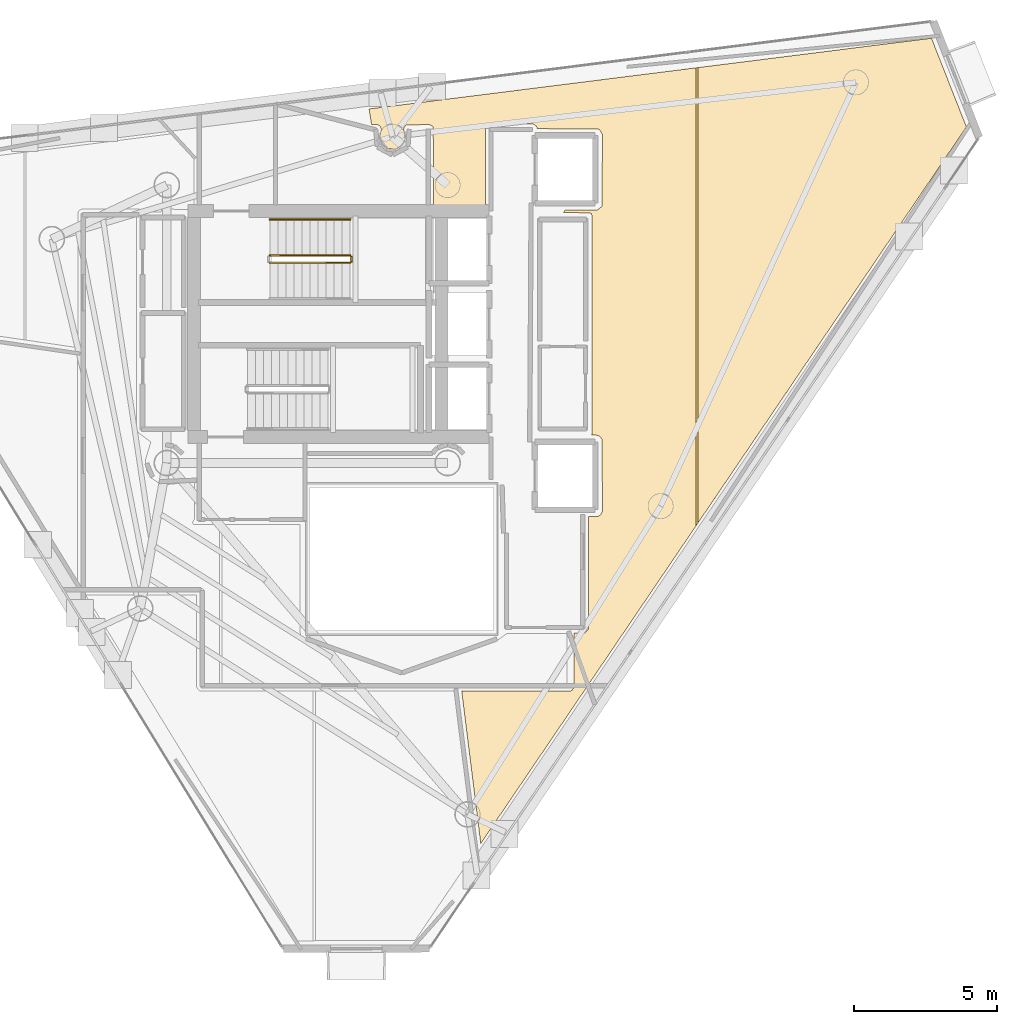
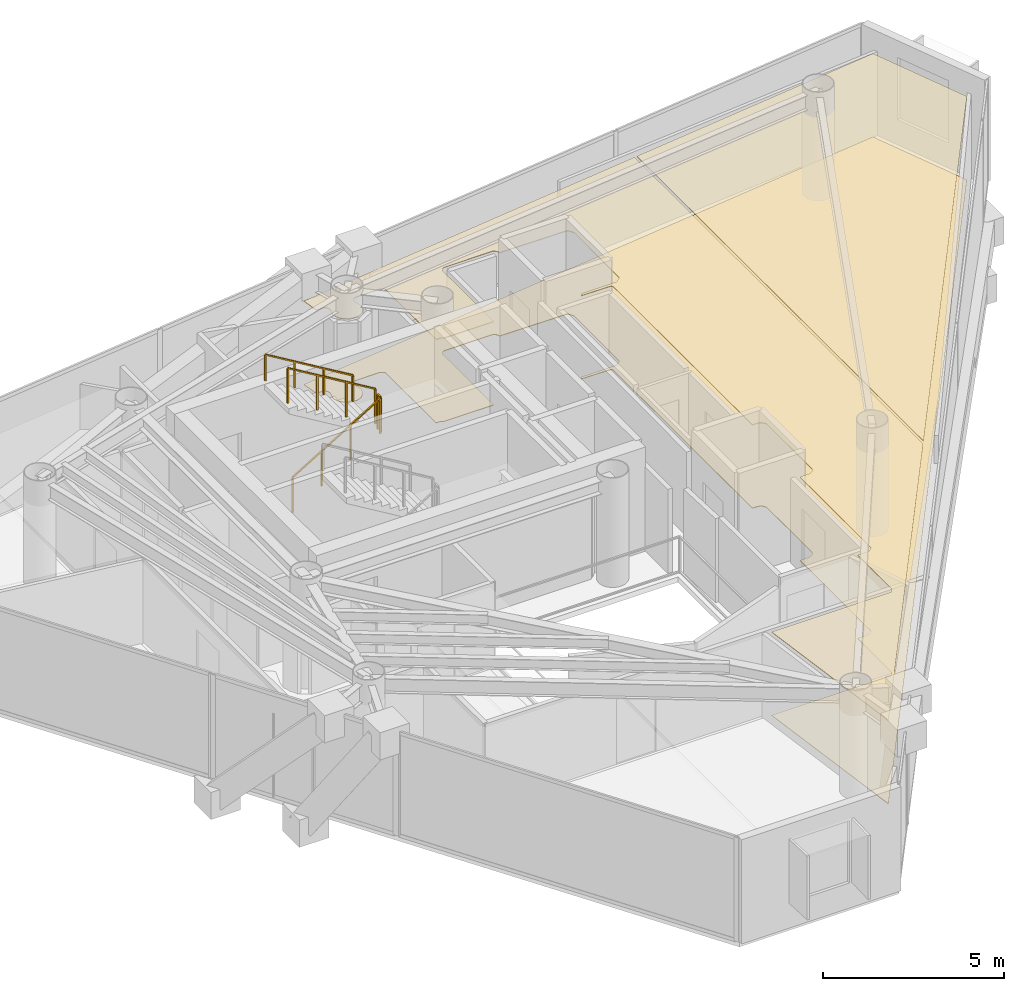
# One storey, part 23 of 23: 4 railings, 3 coverings.
"""IFC4 building model written with IfcOpenShell, lengths in metres."""

from ifc_helpers import new_model, si_unit, direction, frame, origin, origin_2d, place, context, subcontext, project, spatial, polyline, rectangle, outline, extrude, material, layer, layer_set, type_object, element, save


model = new_model("IFC4")

# Units and contexts
model_context = context("Model", 3, precision=1e-05, world=origin(), true_north=direction((0.0, 1.0)))
body_context = subcontext(model_context, "Body", "Model", "MODEL_VIEW")
ifc_project = project(units=[si_unit("LENGTHUNIT", "METRE"), si_unit("AREAUNIT", "SQUARE_METRE"), si_unit("VOLUMEUNIT", "CUBIC_METRE"), si_unit("PLANEANGLEUNIT", "RADIAN"), si_unit("MASSUNIT", "GRAM", prefix="KILO")], contexts=[model_context])

# Site, building, storey
site_placement = place(None, origin())
site = spatial("IfcSite", under=ifc_project, at=site_placement, CompositionType="ELEMENT")
building_placement = place(site_placement, origin())
building = spatial("IfcBuilding", under=site, at=building_placement, Name="Qianvela Tower", CompositionType="ELEMENT")
storey_placement = place(building_placement, frame((0.0, 0.0, 284.300048828125)))
storey = spatial("IfcBuildingStorey", under=building, at=storey_placement, Name="L73", CompositionType="ELEMENT", Elevation=284.300048828125)

# Coverings
ifc_material_1 = material(Name="Perforated Mineral Acoustic Ceiling Tile")
ifc_layer_1 = layer(ifc_material_1, 0.02490234375)
ifc_layer_set_1 = layer_set([ifc_layer_1], Name="Perforated Mineral Acoustic Ceiling Tile")
covering_type_1 = type_object("IfcCoveringType", Name="COV-CEIL-ACOUSTIC-25", PredefinedType="CEILING", material=ifc_layer_set_1)
covering_1_placement = place(storey_placement, frame((0.0, 0.0, 2.81494140625)))
element("IfcCovering", 1, at=covering_1_placement, inside=storey, type_object=covering_type_1, Name="L73 Acoustic Ceiling Bay 1 Social Sitting Lounge L73-03", PredefinedType="CEILING", context=body_context, shape_type="SweptSolid", body=[
    extrude(outline(polyline([(42.50341796875, 32.679931640625), (43.59375, 32.6806640625), (43.602294921875, 32.68115234375), (43.610595703125, 32.6826171875), (43.618896484375, 32.684814453125), (43.626708984375, 32.687744140625), (43.63427734375, 32.691650390625), (43.641357421875, 32.6962890625), (43.757080078125, 32.7822265625), (43.763427734375, 32.787353515625), (43.769287109375, 32.793212890625), (43.7744140625, 32.7998046875), (43.77880859375, 32.806640625), (43.782470703125, 32.81396484375), (43.785400390625, 32.82177734375), (43.78759765625, 32.82958984375), (43.788818359375, 32.837890625), (43.789306640625, 32.84619140625), (43.800048828125, 35.2998046875), (43.7998046875, 35.306884765625), (43.798583984375, 35.314208984375), (43.797119140625, 35.3212890625), (43.794921875, 35.328125), (43.7919921875, 35.334716796875), (43.78857421875, 35.341064453125), (43.714599609375, 35.464599609375), (43.710205078125, 35.471435546875), (43.704833984375, 35.477783203125), (43.698974609375, 35.4833984375), (43.692626953125, 35.488525390625), (43.685791015625, 35.492919921875), (43.678466796875, 35.49658203125), (43.670654296875, 35.49951171875), (43.662841796875, 35.501708984375), (43.65478515625, 35.5029296875), (43.646484375, 35.50341796875), (41.515625, 35.519287109375), (41.513916015625, 35.554931640625), (41.512939453125, 35.562744140625), (41.511474609375, 35.5703125), (41.509033203125, 35.577880859375), (41.506103515625, 35.585205078125), (41.50244140625, 35.591796875), (41.498046875, 35.598388671875), (41.4931640625, 35.6044921875), (41.487548828125, 35.60986328125), (41.481689453125, 35.614990234375), (41.41552734375, 35.663818359375), (41.409423828125, 35.66796875), (41.40283203125, 35.67138671875), (41.396240234375, 35.67431640625), (41.38916015625, 35.6767578125), (41.382080078125, 35.67822265625), (41.374755859375, 35.67919921875), (41.367431640625, 35.6796875), (39.841796875, 35.670654296875), (39.83349609375, 35.670166015625), (39.825439453125, 35.668701171875), (39.817626953125, 35.666748046875), (39.81005859375, 35.663818359375), (39.802490234375, 35.659912109375), (39.795654296875, 35.655517578125), (39.789306640625, 35.650390625), (39.783447265625, 35.644775390625), (39.7783203125, 35.638427734375), (39.773681640625, 35.631591796875), (39.7314453125, 35.56103515625), (39.727294921875, 35.553466796875), (39.72412109375, 35.54541015625), (39.721923828125, 35.537109375), (39.720458984375, 35.528564453125), (39.719970703125, 35.52001953125), (39.719970703125, 32.719970703125), (38.129150390625, 32.719970703125), (38.068115234375, 32.756103515625), (38.060791015625, 32.760009765625), (38.052978515625, 32.76318359375), (38.044921875, 32.765380859375), (38.03662109375, 32.766845703125), (38.0283203125, 32.767333984375), (37.906982421875, 32.768798828125), (37.896484375, 35.544677734375), (37.89599609375, 35.552490234375), (37.89501953125, 35.560302734375), (37.89306640625, 35.56787109375), (37.890380859375, 35.5751953125), (37.886962890625, 35.582275390625), (37.883056640625, 35.589111328125), (37.87841796875, 35.59521484375), (37.873046875, 35.60107421875), (37.8671875, 35.606201171875), (37.86083984375, 35.611083984375), (37.854248046875, 35.614990234375), (37.78759765625, 35.650634765625), (37.780517578125, 35.654052734375), (37.772705078125, 35.65673828125), (37.764892578125, 35.65869140625), (37.757080078125, 35.65966796875), (37.7490234375, 35.659912109375), (36.98779296875, 35.650146484375), (36.97998046875, 35.64990234375), (36.97265625, 35.648681640625), (36.96533203125, 35.646728515625), (36.958251953125, 35.644287109375), (36.951416015625, 35.64111328125), (36.945068359375, 35.63720703125), (36.93896484375, 35.6328125), (36.93310546875, 35.6279296875), (36.927978515625, 35.62255859375), (36.92333984375, 35.616455078125), (36.91943359375, 35.610107421875), (36.877685546875, 35.537841796875), (36.874267578125, 35.53125), (36.87158203125, 35.5244140625), (36.869384765625, 35.517333984375), (36.867919921875, 35.510009765625), (36.8671875, 35.502685546875), (36.866943359375, 35.4951171875), (36.86767578125, 35.48779296875), (36.868896484375, 35.48046875), (36.92431640625, 35.23291015625), (36.91748046875, 35.163330078125), (36.84765625, 34.99462890625), (36.724365234375, 34.871337890625), (36.5634765625, 34.804931640625), (36.30224609375, 34.83251953125), (36.10302734375, 34.998291015625), (36.03466796875, 35.163330078125), (36.02783203125, 35.232666015625), (36.08251953125, 35.47216796875), (36.083740234375, 35.47998046875), (36.08447265625, 35.48779296875), (36.084228515625, 35.495849609375), (36.083251953125, 35.50390625), (36.081298828125, 35.511474609375), (36.064697265625, 35.5712890625), (36.06201171875, 35.5791015625), (36.058837890625, 35.586181640625), (36.0546875, 35.59326171875), (36.05029296875, 35.599609375), (36.044921875, 35.605712890625), (36.0390625, 35.611083984375), (36.03271484375, 35.615966796875), (36.02587890625, 35.6201171875), (35.97119140625, 35.64990234375), (35.964111328125, 35.6533203125), (35.95654296875, 35.656005859375), (35.948974609375, 35.657958984375), (35.941162109375, 35.6591796875), (35.93310546875, 35.65966796875), (35.743896484375, 35.659912109375), (35.658203125, 36.20751953125), (47.0634765625, 37.6416015625), (47.0634765625, 21.64892578125), (39.556396484375, 10.572265625), (38.889892578125, 15.89013671875), (42.68798828125, 15.8994140625), (42.696044921875, 15.89990234375), (42.7041015625, 15.901123046875), (42.712158203125, 15.9033203125), (42.719970703125, 15.90625), (42.727294921875, 15.909912109375), (42.734130859375, 15.914306640625), (42.740478515625, 15.91943359375), (42.74658203125, 15.92529296875), (42.751708984375, 15.931396484375), (42.75634765625, 15.938232421875), (42.798583984375, 16.0087890625), (42.802001953125, 16.01513671875), (42.804931640625, 16.02197265625), (42.80712890625, 16.02880859375), (42.80859375, 16.03564453125), (42.809814453125, 16.04296875), (42.81005859375, 16.050048828125), (42.8076171875, 17.920166015625), (43.157958984375, 17.92041015625), (43.165771484375, 17.9208984375), (43.173583984375, 17.921875), (43.18115234375, 17.923828125), (43.1884765625, 17.926513671875), (43.195556640625, 17.9296875), (43.202392578125, 17.933837890625), (43.20849609375, 17.938720703125), (43.21435546875, 17.94384765625), (43.2861328125, 18.015625), (43.29150390625, 18.021484375), (43.296142578125, 18.027587890625), (43.30029296875, 18.034423828125), (43.303466796875, 18.04150390625), (43.30615234375, 18.048828125), (43.30810546875, 18.056640625), (43.30908203125, 18.064208984375), (43.3095703125, 18.072265625), (43.309326171875, 21.980712890625), (43.60791015625, 21.982666015625), (43.615478515625, 21.983154296875), (43.623291015625, 21.984375), (43.630859375, 21.986083984375), (43.637939453125, 21.98876953125), (43.64501953125, 21.9921875), (43.716796875, 22.030517578125), (43.723388671875, 22.034423828125), (43.729736328125, 22.039306640625), (43.735595703125, 22.04443359375), (43.74072265625, 22.05029296875), (43.74560546875, 22.056640625), (43.74951171875, 22.063232421875), (43.787841796875, 22.135009765625), (43.791259765625, 22.14208984375), (43.7939453125, 22.1494140625), (43.7958984375, 22.156982421875), (43.796875, 22.164794921875), (43.79736328125, 22.1728515625), (43.7939453125, 24.640625), (43.79345703125, 24.649169921875), (43.792236328125, 24.65771484375), (43.789794921875, 24.665771484375), (43.786865234375, 24.673583984375), (43.782958984375, 24.68115234375), (43.7783203125, 24.688232421875), (43.721923828125, 24.76416015625), (43.71728515625, 24.769775390625), (43.71240234375, 24.77490234375), (43.706787109375, 24.779541015625), (43.70068359375, 24.78369140625), (43.694580078125, 24.78759765625), (43.68798828125, 24.79052734375), (43.680908203125, 24.79296875), (43.603271484375, 24.816650390625), (43.595703125, 24.818603515625), (43.587890625, 24.819580078125), (43.580078125, 24.820068359375), (43.424072265625, 24.820068359375), (43.426513671875, 24.826904296875), (43.428466796875, 24.83447265625), (43.4296875, 24.84228515625), (43.429931640625, 24.85009765625), (43.429931640625, 32.5), (43.4296875, 32.5078125), (43.428466796875, 32.515380859375), (43.426513671875, 32.52294921875), (43.424072265625, 32.530517578125), (43.420654296875, 32.537353515625), (43.416748046875, 32.544189453125), (43.412109375, 32.55029296875), (43.406982421875, 32.55615234375), (43.401123046875, 32.5615234375), (43.39501953125, 32.566162109375), (43.38818359375, 32.5703125), (43.38134765625, 32.573486328125), (43.3740234375, 32.576416015625), (43.366455078125, 32.578369140625), (43.35888671875, 32.57958984375), (43.35107421875, 32.580078125), (42.4365234375, 32.59130859375), (42.50341796875, 32.679931640625)])), origin(), (0.0, 0.0, 1.0), 0.02490234375),
])
covering_2_placement = place(storey_placement, frame((0.0, 0.0, 2.81494140625)))
element("IfcCovering", 2, at=covering_2_placement, inside=storey, type_object=covering_type_1, Name="L73 Acoustic Ceiling Bay 2 Social Sitting Lounge L73-03", PredefinedType="CEILING", context=body_context, shape_type="SweptSolid", body=[
    extrude(outline(polyline([(55.2861328125, 38.67578125), (56.50537109375, 35.580322265625), (47.143310546875, 21.76708984375), (47.143310546875, 37.65185546875), (55.2861328125, 38.67578125)])), origin(), (0.0, 0.0, 1.0), 0.02490234375),
])
ifc_material_2 = material(Name="Engineered Acoustic Oak Timber Flooring", Category="wood")
ifc_layer_2 = layer(ifc_material_2, 0.02001953125)
ifc_layer_set_2 = layer_set([ifc_layer_2], Name="Engineered Acoustic Oak Timber Flooring")
covering_type_2 = type_object("IfcCoveringType", Name="COV-FLOOR-OAK-20", PredefinedType="FLOORING", material=ifc_layer_set_2)
covering_3_placement = place(storey_placement, origin())
element("IfcCovering", 3, at=covering_3_placement, inside=storey, type_object=covering_type_2, Name="L73 Finish Flooring Social Sitting Lounge L73-03", PredefinedType="FLOORING", context=body_context, shape_type="SweptSolid", body=[
    extrude(outline(polyline([(42.4365234375, 32.59130859375), (42.50341796875, 32.679931640625), (43.59375, 32.6806640625), (43.602294921875, 32.68115234375), (43.610595703125, 32.6826171875), (43.618896484375, 32.684814453125), (43.626708984375, 32.687744140625), (43.63427734375, 32.691650390625), (43.641357421875, 32.6962890625), (43.757080078125, 32.7822265625), (43.763427734375, 32.787353515625), (43.769287109375, 32.793212890625), (43.7744140625, 32.7998046875), (43.77880859375, 32.806640625), (43.782470703125, 32.81396484375), (43.785400390625, 32.82177734375), (43.78759765625, 32.82958984375), (43.788818359375, 32.837890625), (43.789306640625, 32.84619140625), (43.800048828125, 35.2998046875), (43.7998046875, 35.306884765625), (43.798583984375, 35.314208984375), (43.797119140625, 35.3212890625), (43.794921875, 35.328125), (43.7919921875, 35.334716796875), (43.78857421875, 35.341064453125), (43.714599609375, 35.464599609375), (43.710205078125, 35.471435546875), (43.704833984375, 35.477783203125), (43.698974609375, 35.4833984375), (43.692626953125, 35.488525390625), (43.685791015625, 35.492919921875), (43.678466796875, 35.49658203125), (43.670654296875, 35.49951171875), (43.662841796875, 35.501708984375), (43.65478515625, 35.5029296875), (43.646484375, 35.50341796875), (41.515625, 35.519287109375), (41.513916015625, 35.554931640625), (41.512939453125, 35.562744140625), (41.511474609375, 35.5703125), (41.509033203125, 35.577880859375), (41.506103515625, 35.585205078125), (41.50244140625, 35.591796875), (41.498046875, 35.598388671875), (41.4931640625, 35.6044921875), (41.487548828125, 35.60986328125), (41.481689453125, 35.614990234375), (41.41552734375, 35.663818359375), (41.409423828125, 35.66796875), (41.40283203125, 35.67138671875), (41.396240234375, 35.67431640625), (41.38916015625, 35.6767578125), (41.382080078125, 35.67822265625), (41.374755859375, 35.67919921875), (41.367431640625, 35.6796875), (39.841796875, 35.670654296875), (39.83349609375, 35.670166015625), (39.825439453125, 35.668701171875), (39.817626953125, 35.666748046875), (39.81005859375, 35.663818359375), (39.802490234375, 35.659912109375), (39.795654296875, 35.655517578125), (39.789306640625, 35.650390625), (39.783447265625, 35.644775390625), (39.7783203125, 35.638427734375), (39.773681640625, 35.631591796875), (39.7314453125, 35.56103515625), (39.727294921875, 35.553466796875), (39.72412109375, 35.54541015625), (39.721923828125, 35.537109375), (39.720458984375, 35.528564453125), (39.719970703125, 35.52001953125), (39.719970703125, 32.719970703125), (38.129150390625, 32.719970703125), (38.068115234375, 32.756103515625), (38.060791015625, 32.760009765625), (38.052978515625, 32.76318359375), (38.044921875, 32.765380859375), (38.03662109375, 32.766845703125), (38.0283203125, 32.767333984375), (37.906982421875, 32.768798828125), (37.896484375, 35.544677734375), (37.89599609375, 35.552490234375), (37.89501953125, 35.560302734375), (37.89306640625, 35.56787109375), (37.890380859375, 35.5751953125), (37.886962890625, 35.582275390625), (37.883056640625, 35.589111328125), (37.87841796875, 35.59521484375), (37.873046875, 35.60107421875), (37.8671875, 35.606201171875), (37.86083984375, 35.611083984375), (37.854248046875, 35.614990234375), (37.78759765625, 35.650634765625), (37.780517578125, 35.654052734375), (37.772705078125, 35.65673828125), (37.764892578125, 35.65869140625), (37.757080078125, 35.65966796875), (37.7490234375, 35.659912109375), (36.98779296875, 35.650146484375), (36.97998046875, 35.64990234375), (36.97265625, 35.648681640625), (36.96533203125, 35.646728515625), (36.958251953125, 35.644287109375), (36.951416015625, 35.64111328125), (36.945068359375, 35.63720703125), (36.93896484375, 35.6328125), (36.93310546875, 35.6279296875), (36.927978515625, 35.62255859375), (36.92333984375, 35.616455078125), (36.91943359375, 35.610107421875), (36.877685546875, 35.537841796875), (36.874267578125, 35.53125), (36.87158203125, 35.5244140625), (36.869384765625, 35.517333984375), (36.867919921875, 35.510009765625), (36.8671875, 35.502685546875), (36.866943359375, 35.4951171875), (36.86767578125, 35.48779296875), (36.868896484375, 35.48046875), (36.92431640625, 35.23291015625), (36.91748046875, 35.163330078125), (36.84765625, 34.99462890625), (36.724365234375, 34.871337890625), (36.5634765625, 34.804931640625), (36.30224609375, 34.83251953125), (36.10302734375, 34.998291015625), (36.03466796875, 35.163330078125), (36.02783203125, 35.232666015625), (36.08251953125, 35.47216796875), (36.083740234375, 35.47998046875), (36.08447265625, 35.48779296875), (36.084228515625, 35.495849609375), (36.083251953125, 35.50390625), (36.081298828125, 35.511474609375), (36.064697265625, 35.5712890625), (36.06201171875, 35.5791015625), (36.058837890625, 35.586181640625), (36.0546875, 35.59326171875), (36.05029296875, 35.599609375), (36.044921875, 35.605712890625), (36.0390625, 35.611083984375), (36.03271484375, 35.615966796875), (36.02587890625, 35.6201171875), (35.97119140625, 35.64990234375), (35.964111328125, 35.6533203125), (35.95654296875, 35.656005859375), (35.948974609375, 35.657958984375), (35.941162109375, 35.6591796875), (35.93310546875, 35.65966796875), (35.743896484375, 35.659912109375), (35.658203125, 36.20751953125), (55.2861328125, 38.67578125), (56.50537109375, 35.580322265625), (39.556396484375, 10.572265625), (38.889892578125, 15.89013671875), (42.68798828125, 15.8994140625), (42.696044921875, 15.89990234375), (42.7041015625, 15.901123046875), (42.712158203125, 15.9033203125), (42.719970703125, 15.90625), (42.727294921875, 15.909912109375), (42.734130859375, 15.914306640625), (42.740478515625, 15.91943359375), (42.74658203125, 15.92529296875), (42.751708984375, 15.931396484375), (42.75634765625, 15.938232421875), (42.798583984375, 16.0087890625), (42.802001953125, 16.01513671875), (42.804931640625, 16.02197265625), (42.80712890625, 16.02880859375), (42.80859375, 16.03564453125), (42.809814453125, 16.04296875), (42.81005859375, 16.050048828125), (42.8076171875, 17.920166015625), (43.157958984375, 17.92041015625), (43.165771484375, 17.9208984375), (43.173583984375, 17.921875), (43.18115234375, 17.923828125), (43.1884765625, 17.926513671875), (43.195556640625, 17.9296875), (43.202392578125, 17.933837890625), (43.20849609375, 17.938720703125), (43.21435546875, 17.94384765625), (43.2861328125, 18.015625), (43.29150390625, 18.021484375), (43.296142578125, 18.027587890625), (43.30029296875, 18.034423828125), (43.303466796875, 18.04150390625), (43.30615234375, 18.048828125), (43.30810546875, 18.056640625), (43.30908203125, 18.064208984375), (43.3095703125, 18.072265625), (43.309326171875, 21.980712890625), (43.60791015625, 21.982666015625), (43.615478515625, 21.983154296875), (43.623291015625, 21.984375), (43.630859375, 21.986083984375), (43.637939453125, 21.98876953125), (43.64501953125, 21.9921875), (43.716796875, 22.030517578125), (43.723388671875, 22.034423828125), (43.729736328125, 22.039306640625), (43.735595703125, 22.04443359375), (43.74072265625, 22.05029296875), (43.74560546875, 22.056640625), (43.74951171875, 22.063232421875), (43.787841796875, 22.135009765625), (43.791259765625, 22.14208984375), (43.7939453125, 22.1494140625), (43.7958984375, 22.156982421875), (43.796875, 22.164794921875), (43.79736328125, 22.1728515625), (43.7939453125, 24.640625), (43.79345703125, 24.649169921875), (43.792236328125, 24.65771484375), (43.789794921875, 24.665771484375), (43.786865234375, 24.673583984375), (43.782958984375, 24.68115234375), (43.7783203125, 24.688232421875), (43.721923828125, 24.76416015625), (43.71728515625, 24.769775390625), (43.71240234375, 24.77490234375), (43.706787109375, 24.779541015625), (43.70068359375, 24.78369140625), (43.694580078125, 24.78759765625), (43.68798828125, 24.79052734375), (43.680908203125, 24.79296875), (43.603271484375, 24.816650390625), (43.595703125, 24.818603515625), (43.587890625, 24.819580078125), (43.580078125, 24.820068359375), (43.424072265625, 24.820068359375), (43.426513671875, 24.826904296875), (43.428466796875, 24.83447265625), (43.4296875, 24.84228515625), (43.429931640625, 24.85009765625), (43.429931640625, 32.5), (43.4296875, 32.5078125), (43.428466796875, 32.515380859375), (43.426513671875, 32.52294921875), (43.424072265625, 32.530517578125), (43.420654296875, 32.537353515625), (43.416748046875, 32.544189453125), (43.412109375, 32.55029296875), (43.406982421875, 32.55615234375), (43.401123046875, 32.5615234375), (43.39501953125, 32.566162109375), (43.38818359375, 32.5703125), (43.38134765625, 32.573486328125), (43.3740234375, 32.576416015625), (43.366455078125, 32.578369140625), (43.35888671875, 32.57958984375), (43.35107421875, 32.580078125), (42.4365234375, 32.59130859375)])), origin(), (0.0, 0.0, 1.0), 0.02001953125),
])

# Railings
ifc_material_3 = material(Name="Painted Tubular Steel Q355B", Category="steel")
railing_type_1 = type_object("IfcRailingType", Name="RL-STAIR-GUARD-1200", PredefinedType="GUARDRAIL", material=ifc_material_3)
railing_1_placement = place(storey_placement, frame((32.199951171875, 30.840087890625, 0.168212890625)))
element("IfcRailing", 4, at=railing_1_placement, inside=storey, type_object=railing_type_1, Name="L73 ST-1 stair guard 1", PredefinedType="GUARDRAIL", context=body_context, shape_type="SweptSolid", body=[
    extrude(rectangle(XDim=0.050048828125, YDim=0.0400390625, at=origin_2d()), frame((0.0, 0.0, 1.179931640625), z_axis=(0.857275202839, 0.0, 0.514858452973), x_axis=(0.0, 1.0, 0.0)), (0.0, 0.0, 1.0), 3.26611328125),
    extrude(rectangle(XDim=0.050048828125, YDim=0.050048828125, at=origin_2d()), origin(), (0.0, 0.0, 1.0), 1.159912109375),
    extrude(rectangle(XDim=0.050048828125, YDim=0.050048828125, at=origin_2d()), frame((0.933349609375, 0.0, 0.560546875)), (0.0, 0.0, 1.0), 1.159912109375),
    extrude(rectangle(XDim=0.050048828125, YDim=0.050048828125, at=origin_2d()), frame((1.86669921875, 0.0, 1.12109375)), (0.0, 0.0, 1.0), 1.159912109375),
    extrude(rectangle(XDim=0.050048828125, YDim=0.050048828125, at=origin_2d()), frame((2.800048828125, 0.0, 1.681640625)), (0.0, 0.0, 1.0), 1.159912109375),
])
railing_2_placement = place(storey_placement, frame((35.050048828125, 30.889892578125, 1.849853515625)))
element("IfcRailing", 5, at=railing_2_placement, inside=storey, type_object=railing_type_1, Name="L73 ST-1 stair guard 2", PredefinedType="GUARDRAIL", context=body_context, shape_type="SweptSolid", body=[
    extrude(rectangle(XDim=0.050048828125, YDim=0.0400390625, at=origin_2d()), frame((0.0, 0.0, 1.179931640625), z_axis=(0.0, 1.0, 0.0), x_axis=(-1.0, 0.0, 0.0)), (0.0, 0.0, 1.0), 0.16015625),
    extrude(rectangle(XDim=0.050048828125, YDim=0.050048828125, at=origin_2d()), origin(), (0.0, 0.0, 1.0), 1.159912109375),
    extrude(rectangle(XDim=0.050048828125, YDim=0.050048828125, at=origin_2d()), frame((0.0, 0.16015625, 0.0)), (0.0, 0.0, 1.0), 1.159912109375),
])
railing_3_placement = place(storey_placement, frame((35.0, 31.10009765625, 2.01806640625)))
element("IfcRailing", 6, at=railing_3_placement, inside=storey, type_object=railing_type_1, Name="L73 ST-1 stair guard 3", PredefinedType="GUARDRAIL", context=body_context, shape_type="SweptSolid", body=[
    extrude(rectangle(XDim=0.050048828125, YDim=0.0400390625, at=origin_2d()), frame((0.0, 0.0, 1.179931640625), z_axis=(-0.857242210791, 0.0, 0.514913383045), x_axis=(0.0, -1.0, 0.0)), (0.0, 0.0, 1.0), 3.266357421875),
    extrude(rectangle(XDim=0.050048828125, YDim=0.050048828125, at=origin_2d()), origin(), (0.0, 0.0, 1.0), 1.159912109375),
    extrude(rectangle(XDim=0.050048828125, YDim=0.050048828125, at=origin_2d()), frame((-0.933349609375, 0.0, 0.560546875)), (0.0, 0.0, 1.0), 1.159912109375),
    extrude(rectangle(XDim=0.050048828125, YDim=0.050048828125, at=origin_2d()), frame((-1.86669921875, 0.0, 1.121337890625)), (0.0, 0.0, 1.0), 1.159912109375),
    extrude(rectangle(XDim=0.050048828125, YDim=0.050048828125, at=origin_2d()), frame((-2.800048828125, 0.0, 1.681884765625)), (0.0, 0.0, 1.0), 1.159912109375),
])
ifc_material_4 = material(Name="Brushed Stainless Steel 304", Category="steel")
railing_type_2 = type_object("IfcRailingType", Name="RL-STAIR-HANDRAIL-900", PredefinedType="HANDRAIL", material=ifc_material_4)
railing_4_placement = place(storey_placement, frame((35.0, 32.35009765625, 2.01806640625)))
element("IfcRailing", 7, at=railing_4_placement, inside=storey, type_object=railing_type_2, Name="L73 ST-1 stair handrail 2", PredefinedType="HANDRAIL", context=body_context, shape_type="SweptSolid", body=[
    extrude(rectangle(XDim=0.050048828125, YDim=0.0400390625, at=origin_2d()), frame((0.0, 0.0, 0.8798828125), z_axis=(-0.857242210791, 0.0, 0.514913383045), x_axis=(0.0, -1.0, 0.0)), (0.0, 0.0, 1.0), 3.266357421875),
    extrude(rectangle(XDim=0.050048828125, YDim=0.050048828125, at=origin_2d()), origin(), (0.0, 0.0, 1.0), 0.85986328125),
    extrude(rectangle(XDim=0.050048828125, YDim=0.050048828125, at=origin_2d()), frame((-0.933349609375, 0.0, 0.560546875)), (0.0, 0.0, 1.0), 0.85986328125),
    extrude(rectangle(XDim=0.050048828125, YDim=0.050048828125, at=origin_2d()), frame((-1.86669921875, 0.0, 1.121337890625)), (0.0, 0.0, 1.0), 0.85986328125),
    extrude(rectangle(XDim=0.050048828125, YDim=0.050048828125, at=origin_2d()), frame((-2.800048828125, 0.0, 1.681884765625)), (0.0, 0.0, 1.0), 0.85986328125),
])

save(model, "model.ifc")
